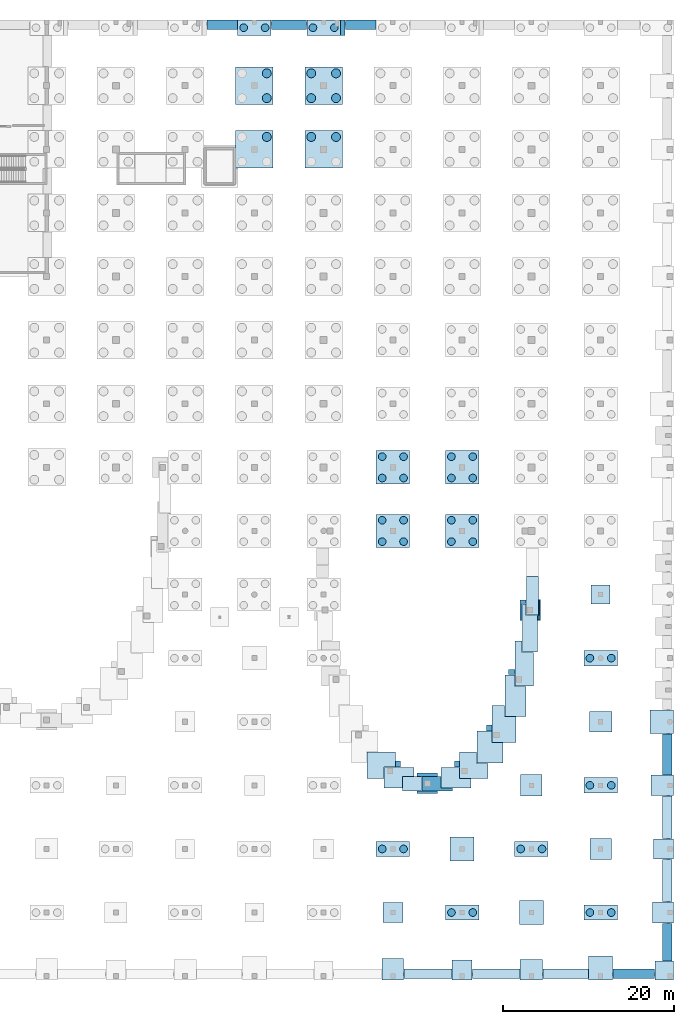
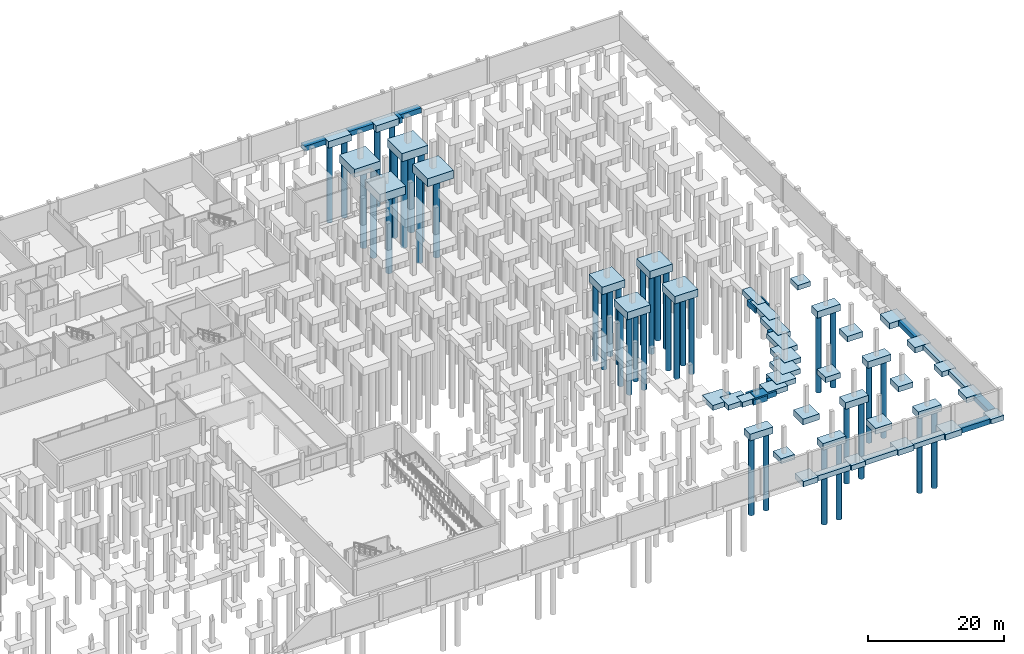
# One storey, part 8 of 37: 64 footings, 41 piles.
"""IFC4 building model written with IfcOpenShell, lengths in metres."""

from ifc_helpers import new_model, si_unit, direction, frame, origin, origin_2d, place, context, subcontext, project, spatial, polyline, rectangle, circle, outline, extrude, material, material_profile, profile_set, type_object, element, save


model = new_model("IFC4")

# Units and contexts
model_context = context("Model", 3, precision=1e-05, world=origin(), true_north=direction((0.0, 1.0)))
body_context = subcontext(model_context, "Body", "Model", "MODEL_VIEW")
ifc_project = project(units=[si_unit("LENGTHUNIT", "METRE"), si_unit("AREAUNIT", "SQUARE_METRE"), si_unit("VOLUMEUNIT", "CUBIC_METRE"), si_unit("PLANEANGLEUNIT", "RADIAN"), si_unit("MASSUNIT", "GRAM", prefix="KILO")], contexts=[model_context])

# Site, building, storey
site_placement = place(None, origin())
site = spatial("IfcSite", under=ifc_project, at=site_placement, CompositionType="ELEMENT")
building_placement = place(site_placement, origin())
building = spatial("IfcBuilding", under=site, at=building_placement, Name="Kaelora Sail Theatre", CompositionType="ELEMENT")
storey_placement = place(building_placement, frame((0.0, 0.0, -4.800048828125)))
storey = spatial("IfcBuildingStorey", under=building, at=storey_placement, Name="B1", CompositionType="ELEMENT", Elevation=-4.800048828125)

# Footings
ifc_material_1 = material(Name="Concrete C40/50", Category="concrete")
footing_type_1 = type_object("IfcFootingType", Name="STR-FTG-PC-2P", PredefinedType="PILE_CAP", material=ifc_material_1)
for number, where, z_axis, x_axis, name in (
    (1, (114.89990234375, 112.449951171875, -1.19970703125), (0.0, 0.0, 1.0), (1.0, 0.0, 0.0), "Foundation 15/P"),
    (2, (123.0, 112.449951171875, -1.19970703125), (0.0, 0.0, 1.0), (1.0, 0.0, 0.0), "Foundation 16/P"),
    (3, (131.10009765625, 16.3798828125, -1.19970703125), (0.0, 0.0, 1.0), (1.0, 0.0, 0.0), "Foundation 17/C"),
    (4, (139.199951171875, 8.93994140625, -1.19970703125), (0.0, 0.0, 1.0), (1.0, 0.0, 0.0), "Foundation 18/B"),
    (5, (147.300048828125, 16.3798828125, -1.19970703125), (0.0, 0.0, 1.0), (1.0, 0.0, 0.0), "Foundation 19/C"),
    (6, (155.39990234375, 8.93994140625, -1.19970703125), (0.0, 0.0, 1.0), (1.0, 0.0, 0.0), "Foundation 20/B"),
    (7, (155.39990234375, 23.820068359375, -1.19970703125), (0.0, 0.0, 1.0), (1.0, 0.0, 0.0), "Foundation 20/D"),
    (8, (155.39990234375, 38.699951171875, -1.19970703125), (0.0, 0.0, 1.0), (1.0, 0.0, 0.0), "Foundation 20/F"),
):
    element("IfcFooting", number, at=place(storey_placement, frame(where, z_axis=z_axis, x_axis=x_axis)), inside=storey, type_object=footing_type_1, Name=name, PredefinedType="PILE_CAP", context=body_context, shape_type="SweptSolid", body=[
        extrude(rectangle(XDim=3.89990234375, YDim=1.800048828125, at=origin_2d()), origin(), (0.0, 0.0, 1.0), 1.199951171875),
    ])
ifc_material_2 = material(Name="Concrete C40/50", Category="concrete")
footing_type_2 = type_object("IfcFootingType", Name="STR-FTG-PC-4A", PredefinedType="PILE_CAP", material=ifc_material_2)
for number, where, z_axis, x_axis, name in (
    (9, (131.10009765625, 53.580078125, -1.35009765625), (0.0, 0.0, 1.0), (1.0, 0.0, 0.0), "Foundation 17/H"),
    (10, (131.10009765625, 61.02001953125, -1.35009765625), (0.0, 0.0, 1.0), (1.0, 0.0, 0.0), "Foundation 17/I"),
    (11, (139.199951171875, 53.580078125, -1.35009765625), (0.0, 0.0, 1.0), (1.0, 0.0, 0.0), "Foundation 18/H"),
    (12, (139.199951171875, 61.02001953125, -1.35009765625), (0.0, 0.0, 1.0), (1.0, 0.0, 0.0), "Foundation 18/I"),
):
    element("IfcFooting", number, at=place(storey_placement, frame(where, z_axis=z_axis, x_axis=x_axis)), inside=storey, type_object=footing_type_2, Name=name, PredefinedType="PILE_CAP", context=body_context, shape_type="SweptSolid", body=[
        extrude(rectangle(XDim=3.89990234375, YDim=3.89990234375, at=origin_2d()), origin(), (0.0, 0.0, 1.0), 1.35009765625),
    ])
ifc_material_3 = material(Name="Concrete C40/50", Category="concrete")
footing_type_3 = type_object("IfcFootingType", Name="STR-FTG-PC-4B", PredefinedType="PILE_CAP", material=ifc_material_3)
for number, where, z_axis, x_axis, name in (
    (13, (114.89990234375, 98.219970703125, -1.44970703125), (0.0, 0.0, 1.0), (1.0, 0.0, 0.0), "Foundation 15/N"),
    (14, (114.89990234375, 105.659912109375, -1.44970703125), (0.0, 0.0, 1.0), (1.0, 0.0, 0.0), "Foundation 15/O"),
    (15, (123.0, 98.219970703125, -1.44970703125), (0.0, 0.0, 1.0), (1.0, 0.0, 0.0), "Foundation 16/N"),
    (16, (123.0, 105.659912109375, -1.44970703125), (0.0, 0.0, 1.0), (1.0, 0.0, 0.0), "Foundation 16/O"),
):
    element("IfcFooting", number, at=place(storey_placement, frame(where, z_axis=z_axis, x_axis=x_axis)), inside=storey, type_object=footing_type_3, Name=name, PredefinedType="PILE_CAP", context=body_context, shape_type="SweptSolid", body=[
        extrude(rectangle(XDim=4.39990234375, YDim=4.39990234375, at=origin_2d()), origin(), (0.0, 0.0, 1.0), 1.449951171875),
    ])
ifc_material_4 = material(Name="Concrete C40/50", Category="concrete")
footing_type_4 = type_object("IfcFootingType", Name="STR-FTG-PF-1A", PredefinedType="PAD_FOOTING", material=ifc_material_4)
for number, where, z_axis, x_axis, name in (
    (17, (155.39990234375, 46.139892578125, -0.85009765625), (0.0, 0.0, 1.0), (1.0, 0.0, 0.0), "Foundation 20/G"),
    (18, (162.85009765625, 2.14990234375, -0.85009765625), (0.0, 0.0, 1.0), (1.0, 0.0, 0.0), "Foundation 21/A"),
):
    element("IfcFooting", number, at=place(storey_placement, frame(where, z_axis=z_axis, x_axis=x_axis)), inside=storey, type_object=footing_type_4, Name=name, PredefinedType="PAD_FOOTING", context=body_context, shape_type="SweptSolid", body=[
        extrude(rectangle(XDim=2.199951171875, YDim=2.199951171875, at=origin_2d()), origin(), (0.0, 0.0, 1.0), 0.85009765625),
    ])
ifc_material_5 = material(Name="Concrete C40/50", Category="concrete")
footing_type_5 = type_object("IfcFootingType", Name="STR-FTG-PF-1B", PredefinedType="PAD_FOOTING", material=ifc_material_5)
for number, where, z_axis, x_axis, name in (
    (19, (131.10009765625, 2.300048828125, -0.94970703125), (0.0, 0.0, 1.0), (1.0, 0.0, 0.0), "Foundation 17/A"),
    (20, (147.300048828125, 23.820068359375, -0.94970703125), (0.0, 0.0, 1.0), (1.0, 0.0, 0.0), "Foundation 19/D"),
    (21, (155.39990234375, 16.3798828125, -0.94970703125), (0.0, 0.0, 1.0), (1.0, 0.0, 0.0), "Foundation 20/C"),
    (22, (162.699951171875, 8.93994140625, -0.94970703125), (0.0, 0.0, 1.0), (1.0, 0.0, 0.0), "Foundation 21/B"),
):
    element("IfcFooting", number, at=place(storey_placement, frame(where, z_axis=z_axis, x_axis=x_axis)), inside=storey, type_object=footing_type_5, Name=name, PredefinedType="PAD_FOOTING", context=body_context, shape_type="SweptSolid", body=[
        extrude(rectangle(XDim=2.5, YDim=2.5, at=origin_2d()), origin(), (0.0, 0.0, 1.0), 0.949951171875),
    ])
footing_1_placement = place(storey_placement, frame((0.0, 0.0, -0.949951171875)))
element("IfcFooting", 23, at=footing_1_placement, inside=storey, type_object=footing_type_5, Name="Black-Box Theatre drum pier pad K02", PredefinedType="PAD_FOOTING", context=body_context, shape_type="SweptSolid", body=[
    extrude(outline(polyline([(146.6865234375, 45.063720703125), (146.205810546875, 45.063720703125), (146.205810546875, 43.125), (145.95458984375, 43.125), (145.95458984375, 45.52490234375), (146.6865234375, 45.52490234375), (146.6865234375, 45.063720703125)])), origin(), (0.0, 0.0, 1.0), 0.949951171875),
])
footing_2_placement = place(storey_placement, frame((0.0, 0.0, -0.949951171875)))
element("IfcFooting", 24, at=footing_2_placement, inside=storey, type_object=footing_type_5, Name="Black-Box Theatre drum pier pad K02", PredefinedType="PAD_FOOTING", context=body_context, shape_type="SweptSolid", body=[
    extrude(outline(polyline([(148.177978515625, 43.70361328125), (148.177978515625, 45.52490234375), (148.3544921875, 45.52490234375), (148.3544921875, 43.125), (148.046630859375, 43.125), (148.046630859375, 43.70361328125), (148.177978515625, 43.70361328125)])), origin(), (0.0, 0.0, 1.0), 0.949951171875),
])
footing_3_placement = place(storey_placement, frame((0.0, 0.0, -0.949951171875)))
element("IfcFooting", 25, at=footing_3_placement, inside=storey, type_object=footing_type_5, Name="Black-Box Theatre drum pier pad K04", PredefinedType="PAD_FOOTING", context=body_context, shape_type="SweptSolid", body=[
    extrude(outline(polyline([(145.369384765625, 36.767578125), (144.64892578125, 36.767578125), (144.64892578125, 37.3779296875), (145.369384765625, 37.3779296875), (145.369384765625, 36.767578125)])), origin(), (0.0, 0.0, 1.0), 0.949951171875),
])
footing_4_placement = place(storey_placement, frame((0.0, 0.0, -0.949951171875)))
element("IfcFooting", 26, at=footing_4_placement, inside=storey, type_object=footing_type_5, Name="Black-Box Theatre drum pier pad K06", PredefinedType="PAD_FOOTING", context=body_context, shape_type="SweptSolid", body=[
    extrude(outline(polyline([(142.03369140625, 30.18359375), (142.03369140625, 30.8828125), (142.681396484375, 30.8828125), (142.681396484375, 30.18359375), (142.03369140625, 30.18359375)])), origin(), (0.0, 0.0, 1.0), 0.949951171875),
])
footing_5_placement = place(storey_placement, frame((0.0, 0.0, -0.949951171875)))
element("IfcFooting", 27, at=footing_5_placement, inside=storey, type_object=footing_type_5, Name="Black-Box Theatre drum pier pad K08", PredefinedType="PAD_FOOTING", context=body_context, shape_type="SweptSolid", body=[
    extrude(outline(polyline([(138.306396484375, 26.6884765625), (138.8857421875, 26.6884765625), (138.8857421875, 25.95654296875), (138.306396484375, 25.95654296875), (138.306396484375, 26.6884765625)])), origin(), (0.0, 0.0, 1.0), 0.949951171875),
])
footing_6_placement = place(storey_placement, frame((0.0, 0.0, -0.949951171875)))
element("IfcFooting", 28, at=footing_6_placement, inside=storey, type_object=footing_type_5, Name="Black-Box Theatre drum pier pad K10", PredefinedType="PAD_FOOTING", context=body_context, shape_type="SweptSolid", body=[
    extrude(outline(polyline([(133.949951171875, 24.866455078125), (133.949951171875, 25.239990234375), (136.35009765625, 25.239990234375), (136.35009765625, 24.866455078125), (133.949951171875, 24.866455078125)])), origin(), (0.0, 0.0, 1.0), 0.949951171875),
])
footing_7_placement = place(storey_placement, frame((0.0, 0.0, -0.949951171875)))
element("IfcFooting", 29, at=footing_7_placement, inside=storey, type_object=footing_type_5, Name="Black-Box Theatre drum pier pad K10", PredefinedType="PAD_FOOTING", context=body_context, shape_type="SweptSolid", body=[
    extrude(outline(polyline([(133.949951171875, 22.840087890625), (133.949951171875, 23.139892578125), (136.35009765625, 23.139892578125), (136.35009765625, 22.840087890625), (133.949951171875, 22.840087890625)])), origin(), (0.0, 0.0, 1.0), 0.949951171875),
])
footing_8_placement = place(storey_placement, frame((0.0, 0.0, -0.949951171875)))
element("IfcFooting", 30, at=footing_8_placement, inside=storey, type_object=footing_type_5, Name="Black-Box Theatre drum pier pad K12", PredefinedType="PAD_FOOTING", context=body_context, shape_type="SweptSolid", body=[
    extrude(outline(polyline([(131.414306640625, 26.6884765625), (131.99365234375, 26.6884765625), (131.99365234375, 25.95654296875), (131.414306640625, 25.95654296875), (131.414306640625, 26.6884765625)])), origin(), (0.0, 0.0, 1.0), 0.949951171875),
])
ifc_material_6 = material(Name="Concrete C40/50", Category="concrete")
footing_type_6 = type_object("IfcFootingType", Name="STR-FTG-PF-1C", PredefinedType="PAD_FOOTING", material=ifc_material_6)
footing_9_placement = place(storey_placement, frame((0.0, 0.0, -1.0)))
element("IfcFooting", 31, at=footing_9_placement, inside=storey, type_object=footing_type_6, Name="North Postmodern pilaster footing P09", PredefinedType="PAD_FOOTING", context=body_context, shape_type="SweptSolid", body=[
    extrude(outline(polyline([(124.97998046875, 111.550048828125), (124.97998046875, 113.340087890625), (125.5, 113.340087890625), (125.5, 111.550048828125), (124.97998046875, 111.550048828125)])), origin(), (0.0, 0.0, 1.0), 1.0),
])
ifc_material_7 = material(Name="Concrete C40/50", Category="concrete")
footing_type_7 = type_object("IfcFootingType", Name="STR-FTG-PF-1D", PredefinedType="PAD_FOOTING", material=ifc_material_7)
for number, where, z_axis, x_axis, name in (
    (32, (131.10009765625, 8.93994140625, -0.89990234375), (0.0, 0.0, 1.0), (1.0, 0.0, 0.0), "Foundation 17/B"),
    (33, (139.199951171875, 2.22509765625, -0.89990234375), (0.0, 0.0, 1.0), (1.0, 0.0, 0.0), "Foundation 18/A"),
    (34, (162.77490234375, 16.3798828125, -0.89990234375), (0.0, 0.0, 1.0), (1.0, 0.0, 0.0), "Foundation 21/C"),
):
    element("IfcFooting", number, at=place(storey_placement, frame(where, z_axis=z_axis, x_axis=x_axis)), inside=storey, type_object=footing_type_7, Name=name, PredefinedType="PAD_FOOTING", context=body_context, shape_type="SweptSolid", body=[
        extrude(rectangle(XDim=2.35009765625, YDim=2.35009765625, at=origin_2d()), origin(), (0.0, 0.0, 1.0), 0.89990234375),
    ])
ifc_material_8 = material(Name="Concrete C40/50", Category="concrete")
footing_type_8 = type_object("IfcFootingType", Name="STR-FTG-PF-1E", PredefinedType="PAD_FOOTING", material=ifc_material_8)
for number, where, z_axis, x_axis, name in (
    (35, (147.300048828125, 2.25, -1.0), (0.0, 0.0, 1.0), (1.0, 0.0, 0.0), "Foundation 19/A"),
    (36, (155.39990234375, 31.260009765625, -1.0), (0.0, 0.0, 1.0), (1.0, 0.0, 0.0), "Foundation 20/E"),
    (37, (162.625, 23.820068359375, -1.0), (0.0, 0.0, 1.0), (1.0, 0.0, 0.0), "Foundation 21/D"),
):
    element("IfcFooting", number, at=place(storey_placement, frame(where, z_axis=z_axis, x_axis=x_axis)), inside=storey, type_object=footing_type_8, Name=name, PredefinedType="PAD_FOOTING", context=body_context, shape_type="SweptSolid", body=[
        extrude(rectangle(XDim=2.64990234375, YDim=2.39990234375, at=origin_2d()), origin(), (0.0, 0.0, 1.0), 1.0),
    ])
ifc_material_9 = material(Name="Concrete C40/50", Category="concrete")
footing_type_9 = type_object("IfcFootingType", Name="STR-FTG-PF-1F", PredefinedType="PAD_FOOTING", material=ifc_material_9)
for number, where, z_axis, x_axis, name in (
    (38, (139.199951171875, 16.3798828125, -1.0498046875), (0.0, 0.0, 1.0), (1.0, 0.0, 0.0), "Foundation 18/C"),
    (39, (147.300048828125, 8.93994140625, -1.0498046875), (0.0, 0.0, 1.0), (1.0, 0.0, 0.0), "Foundation 19/B"),
    (40, (155.39990234375, 2.449951171875, -1.0498046875), (0.0, 0.0, 1.0), (1.0, 0.0, 0.0), "Foundation 20/A"),
    (41, (162.550048828125, 31.260009765625, -1.0498046875), (0.0, 0.0, 1.0), (1.0, 0.0, 0.0), "Foundation 21/E"),
):
    element("IfcFooting", number, at=place(storey_placement, frame(where, z_axis=z_axis, x_axis=x_axis)), inside=storey, type_object=footing_type_9, Name=name, PredefinedType="PAD_FOOTING", context=body_context, shape_type="SweptSolid", body=[
        extrude(rectangle(XDim=2.800048828125, YDim=2.800048828125, at=origin_2d()), origin(), (0.0, 0.0, 1.0), 1.050048828125),
    ])
ifc_material_10 = material(Name="Concrete C40/50", Category="concrete")
footing_type_10 = type_object("IfcFootingType", Name="STR-GB-SF-DRM", PredefinedType="STRIP_FOOTING", material=ifc_material_10)
footing_10_placement = place(storey_placement, frame((0.0, 0.0, -0.89990234375)))
element("IfcFooting", 42, at=footing_10_placement, inside=storey, type_object=footing_type_10, Name="Perimeter plinth strip footing SF-PL-SE", PredefinedType="STRIP_FOOTING", context=body_context, shape_type="SweptSolid", body=[
    extrude(outline(polyline([(161.719970703125, 1.25), (156.830078125, 1.25), (156.830078125, 2.35009765625), (161.719970703125, 2.35009765625), (161.719970703125, 1.25)])), origin(), (0.0, 0.0, 1.0), 0.89990234375),
])
footing_11_placement = place(storey_placement, frame((0.0, 0.0, -0.89990234375)))
element("IfcFooting", 43, at=footing_11_placement, inside=storey, type_object=footing_type_10, Name="Perimeter plinth strip footing SF-PL-SE", PredefinedType="STRIP_FOOTING", context=body_context, shape_type="SweptSolid", body=[
    extrude(outline(polyline([(153.969970703125, 1.25), (148.655029296875, 1.25), (148.655029296875, 2.35009765625), (153.969970703125, 2.35009765625), (153.969970703125, 1.25)])), origin(), (0.0, 0.0, 1.0), 0.89990234375),
])
footing_12_placement = place(storey_placement, frame((0.0, 0.0, -0.89990234375)))
element("IfcFooting", 44, at=footing_12_placement, inside=storey, type_object=footing_type_10, Name="Perimeter plinth strip footing SF-PL-SE", PredefinedType="STRIP_FOOTING", context=body_context, shape_type="SweptSolid", body=[
    extrude(outline(polyline([(140.405029296875, 1.25), (140.405029296875, 2.35009765625), (145.945068359375, 2.35009765625), (145.945068359375, 1.25), (140.405029296875, 1.25)])), origin(), (0.0, 0.0, 1.0), 0.89990234375),
])
footing_13_placement = place(storey_placement, frame((0.0, 0.0, -0.89990234375)))
element("IfcFooting", 45, at=footing_13_placement, inside=storey, type_object=footing_type_10, Name="Perimeter plinth strip footing SF-PL-SE", PredefinedType="STRIP_FOOTING", context=body_context, shape_type="SweptSolid", body=[
    extrude(outline(polyline([(132.3798828125, 1.25), (132.3798828125, 2.35009765625), (137.9951171875, 2.35009765625), (137.9951171875, 1.25), (132.3798828125, 1.25)])), origin(), (0.0, 0.0, 1.0), 0.89990234375),
])
footing_14_placement = place(storey_placement, frame((0.0, 0.0, -0.89990234375)))
element("IfcFooting", 46, at=footing_14_placement, inside=storey, type_object=footing_type_10, Name="Perimeter plinth strip footing SF-PL-E", PredefinedType="STRIP_FOOTING", context=body_context, shape_type="SweptSolid", body=[
    extrude(outline(polyline([(162.64990234375, 22.590087890625), (163.75, 22.590087890625), (163.75, 17.5849609375), (162.64990234375, 17.5849609375), (162.64990234375, 22.590087890625)])), origin(), (0.0, 0.0, 1.0), 0.89990234375),
])
footing_15_placement = place(storey_placement, frame((0.0, 0.0, -0.89990234375)))
element("IfcFooting", 47, at=footing_15_placement, inside=storey, type_object=footing_type_10, Name="Perimeter plinth strip footing SF-PL-E", PredefinedType="STRIP_FOOTING", context=body_context, shape_type="SweptSolid", body=[
    extrude(outline(polyline([(163.75, 25.050048828125), (162.64990234375, 25.050048828125), (162.64990234375, 29.830078125), (163.75, 29.830078125), (163.75, 25.050048828125)])), origin(), (0.0, 0.0, 1.0), 0.89990234375),
])
footing_16_placement = place(storey_placement, frame((0.0, 0.0, -0.89990234375)))
element("IfcFooting", 48, at=footing_16_placement, inside=storey, type_object=footing_type_10, Name="Perimeter plinth strip footing SF-PL-E", PredefinedType="STRIP_FOOTING", context=body_context, shape_type="SweptSolid", body=[
    extrude(outline(polyline([(162.64990234375, 15.175048828125), (163.75, 15.175048828125), (163.75, 10.219970703125), (162.64990234375, 10.219970703125), (162.64990234375, 15.175048828125)])), origin(), (0.0, 0.0, 1.0), 0.89990234375),
])
footing_17_placement = place(storey_placement, frame((0.0, 0.0, -0.89990234375)))
element("IfcFooting", 49, at=footing_17_placement, inside=storey, type_object=footing_type_10, Name="Perimeter plinth strip footing SF-PL-E", PredefinedType="STRIP_FOOTING", context=body_context, shape_type="SweptSolid", body=[
    extrude(outline(polyline([(163.75, 7.659912109375), (163.75, 3.280029296875), (162.64990234375, 3.280029296875), (162.64990234375, 7.659912109375), (163.75, 7.659912109375)])), origin(), (0.0, 0.0, 1.0), 0.89990234375),
])
footing_18_placement = place(storey_placement, frame((0.0, 0.0, -0.89990234375)))
element("IfcFooting", 50, at=footing_18_placement, inside=storey, type_object=footing_type_10, Name="Perimeter plinth strip footing SF-PL-N", PredefinedType="STRIP_FOOTING", context=body_context, shape_type="SweptSolid", body=[
    extrude(outline(polyline([(125.530029296875, 113.340087890625), (129.1201171875, 113.340087890625), (129.1201171875, 112.25), (125.530029296875, 112.25), (125.530029296875, 113.340087890625)])), origin(), (0.0, 0.0, 1.0), 0.89990234375),
])
footing_19_placement = place(storey_placement, frame((0.0, 0.0, -0.89990234375)))
element("IfcFooting", 51, at=footing_19_placement, inside=storey, type_object=footing_type_10, Name="Perimeter plinth strip footing SF-PL-N", PredefinedType="STRIP_FOOTING", context=body_context, shape_type="SweptSolid", body=[
    extrude(outline(polyline([(116.8798828125, 113.340087890625), (121.02001953125, 113.340087890625), (121.02001953125, 112.25), (116.8798828125, 112.25), (116.8798828125, 113.340087890625)])), origin(), (0.0, 0.0, 1.0), 0.89990234375),
])
footing_20_placement = place(storey_placement, frame((0.0, 0.0, -0.89990234375)))
element("IfcFooting", 52, at=footing_20_placement, inside=storey, type_object=footing_type_10, Name="Perimeter plinth strip footing SF-PL-N", PredefinedType="STRIP_FOOTING", context=body_context, shape_type="SweptSolid", body=[
    extrude(outline(polyline([(109.330078125, 113.340087890625), (112.919921875, 113.340087890625), (112.919921875, 112.25), (109.330078125, 112.25), (109.330078125, 113.340087890625)])), origin(), (0.0, 0.0, 1.0), 0.89990234375),
])
footing_21_placement = place(storey_placement, frame((0.0, 0.0, -0.89990234375)))
element("IfcFooting", 53, at=footing_21_placement, inside=storey, type_object=footing_type_10, Name="Black-Box and Experimental Sail Wing chord strip footing 02", PredefinedType="STRIP_FOOTING", context=body_context, shape_type="SweptSolid", body=[
    extrude(outline(polyline([(146.716552734375, 48.244384765625), (148.148193359375, 48.244384765625), (148.148193359375, 43.733642578125), (146.716552734375, 43.733642578125), (146.716552734375, 48.244384765625)])), origin(), (0.0, 0.0, 1.0), 0.89990234375),
])
footing_22_placement = place(storey_placement, frame((0.0, 0.0, -0.89990234375)))
element("IfcFooting", 54, at=footing_22_placement, inside=storey, type_object=footing_type_10, Name="Black-Box and Experimental Sail Wing chord strip footing 03", PredefinedType="STRIP_FOOTING", context=body_context, shape_type="SweptSolid", body=[
    extrude(outline(polyline([(146.6865234375, 45.03369140625), (146.6865234375, 43.70361328125), (148.0166015625, 43.70361328125), (148.0166015625, 39.419189453125), (146.23583984375, 39.419189453125), (146.23583984375, 45.03369140625), (146.6865234375, 45.03369140625)])), origin(), (0.0, 0.0, 1.0), 0.89990234375),
])
footing_23_placement = place(storey_placement, frame((0.0, 0.0, -0.89990234375)))
element("IfcFooting", 55, at=footing_23_placement, inside=storey, type_object=footing_type_10, Name="Black-Box and Experimental Sail Wing chord strip footing 04", PredefinedType="STRIP_FOOTING", context=body_context, shape_type="SweptSolid", body=[
    extrude(outline(polyline([(147.535888671875, 35.4375), (145.3994140625, 35.4375), (145.3994140625, 40.71923828125), (146.205810546875, 40.71923828125), (146.205810546875, 39.38916015625), (147.535888671875, 39.38916015625), (147.535888671875, 35.4375)])), origin(), (0.0, 0.0, 1.0), 0.89990234375),
])
footing_24_placement = place(storey_placement, frame((0.0, 0.0, -0.89990234375)))
element("IfcFooting", 56, at=footing_24_placement, inside=storey, type_object=footing_type_10, Name="Black-Box and Experimental Sail Wing chord strip footing 05", PredefinedType="STRIP_FOOTING", context=body_context, shape_type="SweptSolid", body=[
    extrude(outline(polyline([(144.21630859375, 31.886474609375), (144.21630859375, 36.737548828125), (145.369384765625, 36.737548828125), (145.369384765625, 35.407470703125), (146.699462890625, 35.407470703125), (146.699462890625, 31.886474609375), (144.21630859375, 31.886474609375)])), origin(), (0.0, 0.0, 1.0), 0.89990234375),
])
footing_25_placement = place(storey_placement, frame((0.0, 0.0, -0.89990234375)))
element("IfcFooting", 57, at=footing_25_placement, inside=storey, type_object=footing_type_10, Name="Black-Box and Experimental Sail Wing chord strip footing 06", PredefinedType="STRIP_FOOTING", context=body_context, shape_type="SweptSolid", body=[
    extrude(outline(polyline([(142.71142578125, 33.1865234375), (144.186279296875, 33.1865234375), (144.186279296875, 31.8564453125), (145.516357421875, 31.8564453125), (145.516357421875, 28.853759765625), (142.71142578125, 28.853759765625), (142.71142578125, 33.1865234375)])), origin(), (0.0, 0.0, 1.0), 0.89990234375),
])
footing_26_placement = place(storey_placement, frame((0.0, 0.0, -0.89990234375)))
element("IfcFooting", 58, at=footing_26_placement, inside=storey, type_object=footing_type_10, Name="Black-Box and Experimental Sail Wing chord strip footing 07", PredefinedType="STRIP_FOOTING", context=body_context, shape_type="SweptSolid", body=[
    extrude(outline(polyline([(142.681396484375, 30.15380859375), (142.681396484375, 28.82373046875), (144.011474609375, 28.82373046875), (144.011474609375, 26.41357421875), (140.926025390625, 26.41357421875), (140.926025390625, 30.15380859375), (142.681396484375, 30.15380859375)])), origin(), (0.0, 0.0, 1.0), 0.89990234375),
])
footing_27_placement = place(storey_placement, frame((0.0, 0.0, -0.89990234375)))
element("IfcFooting", 59, at=footing_27_placement, inside=storey, type_object=footing_type_10, Name="Black-Box and Experimental Sail Wing chord strip footing 08", PredefinedType="STRIP_FOOTING", context=body_context, shape_type="SweptSolid", body=[
    extrude(outline(polyline([(142.22607421875, 24.626708984375), (138.915771484375, 24.626708984375), (138.915771484375, 27.713623046875), (140.89599609375, 27.713623046875), (140.89599609375, 26.383544921875), (142.22607421875, 26.383544921875), (142.22607421875, 24.626708984375)])), origin(), (0.0, 0.0, 1.0), 0.89990234375),
])
footing_28_placement = place(storey_placement, frame((0.0, 0.0, -0.89990234375)))
element("IfcFooting", 60, at=footing_28_placement, inside=storey, type_object=footing_type_10, Name="Black-Box and Experimental Sail Wing chord strip footing 09", PredefinedType="STRIP_FOOTING", context=body_context, shape_type="SweptSolid", body=[
    extrude(outline(polyline([(136.748291015625, 23.536376953125), (136.748291015625, 25.926513671875), (138.8857421875, 25.926513671875), (138.8857421875, 24.5966796875), (140.2158203125, 24.5966796875), (140.2158203125, 23.536376953125), (136.748291015625, 23.536376953125)])), origin(), (0.0, 0.0, 1.0), 0.89990234375),
])
footing_29_placement = place(storey_placement, frame((0.0, 0.0, -0.89990234375)))
element("IfcFooting", 61, at=footing_29_placement, inside=storey, type_object=footing_type_10, Name="Black-Box and Experimental Sail Wing chord strip footing 10", PredefinedType="STRIP_FOOTING", context=body_context, shape_type="SweptSolid", body=[
    extrude(outline(polyline([(134.5, 24.83642578125), (136.71826171875, 24.83642578125), (136.71826171875, 23.50634765625), (138.04833984375, 23.50634765625), (138.04833984375, 23.169921875), (134.5, 23.169921875), (134.5, 24.83642578125)])), origin(), (0.0, 0.0, 1.0), 0.89990234375),
])
footing_30_placement = place(storey_placement, frame((0.0, 0.0, -0.89990234375)))
element("IfcFooting", 62, at=footing_30_placement, inside=storey, type_object=footing_type_10, Name="Black-Box and Experimental Sail Wing chord strip footing 11", PredefinedType="STRIP_FOOTING", context=body_context, shape_type="SweptSolid", body=[
    extrude(outline(polyline([(134.469970703125, 24.83642578125), (134.469970703125, 23.169921875), (132.251708984375, 23.169921875), (132.251708984375, 24.83642578125), (134.469970703125, 24.83642578125)])), origin(), (0.0, 0.0, 1.0), 0.89990234375),
])
footing_31_placement = place(storey_placement, frame((0.0, 0.0, -0.89990234375)))
element("IfcFooting", 63, at=footing_31_placement, inside=storey, type_object=footing_type_10, Name="Black-Box and Experimental Sail Wing chord strip footing 12", PredefinedType="STRIP_FOOTING", context=body_context, shape_type="SweptSolid", body=[
    extrude(outline(polyline([(133.5517578125, 24.866455078125), (132.2216796875, 24.866455078125), (132.2216796875, 23.536376953125), (130.084228515625, 23.536376953125), (130.084228515625, 25.926513671875), (133.5517578125, 25.926513671875), (133.5517578125, 24.866455078125)])), origin(), (0.0, 0.0, 1.0), 0.89990234375),
])
footing_32_placement = place(storey_placement, frame((0.0, 0.0, -0.89990234375)))
element("IfcFooting", 64, at=footing_32_placement, inside=storey, type_object=footing_type_10, Name="Black-Box and Experimental Sail Wing chord strip footing 13", PredefinedType="STRIP_FOOTING", context=body_context, shape_type="SweptSolid", body=[
    extrude(outline(polyline([(128.073974609375, 24.626708984375), (128.073974609375, 27.713623046875), (131.38427734375, 27.713623046875), (131.38427734375, 25.95654296875), (130.05419921875, 25.95654296875), (130.05419921875, 24.626708984375), (128.073974609375, 24.626708984375)])), origin(), (0.0, 0.0, 1.0), 0.89990234375),
])

# Piles
ifc_material_11 = material(Name="Concrete C40/50", Category="concrete")
ifc_material_profile_1 = material_profile(ifc_material_11, circle(Radius=0.52490234375, at=origin_2d()), Name="PILE D1050")
ifc_profile_set_1 = profile_set([ifc_material_profile_1], Name="Concrete C40/50")
pile_type_1 = type_object("IfcPileType", Name="STR-PILE-PL-1050", PredefinedType="BORED", material=ifc_profile_set_1)
for number, where, z_axis, x_axis, name in (
    (65, (116.35009765625, 99.669921875, -1.349853515625), (0.0, 0.0, -1.0), (1.0, 0.0, 0.0), "Bored pile 15/N P4"),
    (66, (116.35009765625, 104.2099609375, -1.349853515625), (0.0, 0.0, -1.0), (1.0, 0.0, 0.0), "Bored pile 15/O P2"),
    (67, (116.35009765625, 107.110107421875, -1.349853515625), (0.0, 0.0, -1.0), (1.0, 0.0, 0.0), "Bored pile 15/O P4"),
    (68, (121.550048828125, 99.669921875, -1.349853515625), (0.0, 0.0, -1.0), (1.0, 0.0, 0.0), "Bored pile 16/N P3"),
    (69, (124.449951171875, 99.669921875, -1.349853515625), (0.0, 0.0, -1.0), (1.0, 0.0, 0.0), "Bored pile 16/N P4"),
    (70, (121.550048828125, 104.2099609375, -1.349853515625), (0.0, 0.0, -1.0), (1.0, 0.0, 0.0), "Bored pile 16/O P1"),
    (71, (124.449951171875, 104.2099609375, -1.349853515625), (0.0, 0.0, -1.0), (1.0, 0.0, 0.0), "Bored pile 16/O P2"),
    (72, (121.550048828125, 107.110107421875, -1.349853515625), (0.0, 0.0, -1.0), (1.0, 0.0, 0.0), "Bored pile 16/O P3"),
    (73, (124.449951171875, 107.110107421875, -1.349853515625), (0.0, 0.0, -1.0), (1.0, 0.0, 0.0), "Bored pile 16/O P4"),
):
    element("IfcPile", number, at=place(storey_placement, frame(where, z_axis=z_axis, x_axis=x_axis)), inside=storey, type_object=pile_type_1, Name=name, PredefinedType="BORED", context=body_context, shape_type="SweptSolid", body=[
        extrude(circle(Radius=0.52490234375, at=origin_2d()), origin(), (0.0, 0.0, 1.0), 16.0),
    ])
ifc_material_12 = material(Name="Concrete C40/50", Category="concrete")
ifc_material_profile_2 = material_profile(ifc_material_12, circle(Radius=0.449951171875, at=origin_2d()), Name="PILE D900")
ifc_profile_set_2 = profile_set([ifc_material_profile_2], Name="Concrete C40/50")
pile_type_2 = type_object("IfcPileType", Name="STR-PILE-PL-900", PredefinedType="BORED", material=ifc_profile_set_2)
for number, where, z_axis, x_axis, name in (
    (74, (113.64990234375, 112.449951171875, -1.099853515625), (0.0, 0.0, -1.0), (1.0, 0.0, 0.0), "Bored pile 15/P P1"),
    (75, (116.14990234375, 112.449951171875, -1.099853515625), (0.0, 0.0, -1.0), (1.0, 0.0, 0.0), "Bored pile 15/P P2"),
    (76, (121.75, 112.449951171875, -1.099853515625), (0.0, 0.0, -1.0), (1.0, 0.0, 0.0), "Bored pile 16/P P1"),
    (77, (124.25, 112.449951171875, -1.099853515625), (0.0, 0.0, -1.0), (1.0, 0.0, 0.0), "Bored pile 16/P P2"),
    (78, (129.85009765625, 16.3798828125, -1.099853515625), (0.0, 0.0, -1.0), (1.0, 0.0, 0.0), "Bored pile 17/C P1"),
    (79, (132.35009765625, 16.3798828125, -1.099853515625), (0.0, 0.0, -1.0), (1.0, 0.0, 0.0), "Bored pile 17/C P2"),
    (80, (129.85009765625, 52.330078125, -1.25), (0.0, 0.0, -1.0), (1.0, 0.0, 0.0), "Bored pile 17/H P1"),
    (81, (132.35009765625, 52.330078125, -1.25), (0.0, 0.0, -1.0), (1.0, 0.0, 0.0), "Bored pile 17/H P2"),
    (82, (129.85009765625, 54.830078125, -1.25), (0.0, 0.0, -1.0), (1.0, 0.0, 0.0), "Bored pile 17/H P3"),
    (83, (132.35009765625, 54.830078125, -1.25), (0.0, 0.0, -1.0), (1.0, 0.0, 0.0), "Bored pile 17/H P4"),
    (84, (129.85009765625, 59.77001953125, -1.25), (0.0, 0.0, -1.0), (1.0, 0.0, 0.0), "Bored pile 17/I P1"),
    (85, (132.35009765625, 59.77001953125, -1.25), (0.0, 0.0, -1.0), (1.0, 0.0, 0.0), "Bored pile 17/I P2"),
    (86, (129.85009765625, 62.27001953125, -1.25), (0.0, 0.0, -1.0), (1.0, 0.0, 0.0), "Bored pile 17/I P3"),
    (87, (132.35009765625, 62.27001953125, -1.25), (0.0, 0.0, -1.0), (1.0, 0.0, 0.0), "Bored pile 17/I P4"),
    (88, (137.949951171875, 8.93994140625, -1.099853515625), (0.0, 0.0, -1.0), (1.0, 0.0, 0.0), "Bored pile 18/B P1"),
    (89, (140.449951171875, 8.93994140625, -1.099853515625), (0.0, 0.0, -1.0), (1.0, 0.0, 0.0), "Bored pile 18/B P2"),
    (90, (137.949951171875, 52.330078125, -1.25), (0.0, 0.0, -1.0), (1.0, 0.0, 0.0), "Bored pile 18/H P1"),
    (91, (140.449951171875, 52.330078125, -1.25), (0.0, 0.0, -1.0), (1.0, 0.0, 0.0), "Bored pile 18/H P2"),
    (92, (137.949951171875, 54.830078125, -1.25), (0.0, 0.0, -1.0), (1.0, 0.0, 0.0), "Bored pile 18/H P3"),
    (93, (140.449951171875, 54.830078125, -1.25), (0.0, 0.0, -1.0), (1.0, 0.0, 0.0), "Bored pile 18/H P4"),
    (94, (137.949951171875, 59.77001953125, -1.25), (0.0, 0.0, -1.0), (1.0, 0.0, 0.0), "Bored pile 18/I P1"),
    (95, (140.449951171875, 59.77001953125, -1.25), (0.0, 0.0, -1.0), (1.0, 0.0, 0.0), "Bored pile 18/I P2"),
    (96, (137.949951171875, 62.27001953125, -1.25), (0.0, 0.0, -1.0), (1.0, 0.0, 0.0), "Bored pile 18/I P3"),
    (97, (140.449951171875, 62.27001953125, -1.25), (0.0, 0.0, -1.0), (1.0, 0.0, 0.0), "Bored pile 18/I P4"),
    (98, (146.050048828125, 16.3798828125, -1.099853515625), (0.0, 0.0, -1.0), (1.0, 0.0, 0.0), "Bored pile 19/C P1"),
    (99, (148.550048828125, 16.3798828125, -1.099853515625), (0.0, 0.0, -1.0), (1.0, 0.0, 0.0), "Bored pile 19/C P2"),
    (100, (154.14990234375, 8.93994140625, -1.099853515625), (0.0, 0.0, -1.0), (1.0, 0.0, 0.0), "Bored pile 20/B P1"),
    (101, (156.64990234375, 8.93994140625, -1.099853515625), (0.0, 0.0, -1.0), (1.0, 0.0, 0.0), "Bored pile 20/B P2"),
    (102, (154.14990234375, 23.820068359375, -1.099853515625), (0.0, 0.0, -1.0), (1.0, 0.0, 0.0), "Bored pile 20/D P1"),
    (103, (156.64990234375, 23.820068359375, -1.099853515625), (0.0, 0.0, -1.0), (1.0, 0.0, 0.0), "Bored pile 20/D P2"),
    (104, (154.14990234375, 38.699951171875, -1.099853515625), (0.0, 0.0, -1.0), (1.0, 0.0, 0.0), "Bored pile 20/F P1"),
    (105, (156.64990234375, 38.699951171875, -1.099853515625), (0.0, 0.0, -1.0), (1.0, 0.0, 0.0), "Bored pile 20/F P2"),
):
    element("IfcPile", number, at=place(storey_placement, frame(where, z_axis=z_axis, x_axis=x_axis)), inside=storey, type_object=pile_type_2, Name=name, PredefinedType="BORED", context=body_context, shape_type="SweptSolid", body=[
        extrude(circle(Radius=0.449951171875, at=origin_2d()), origin(), (0.0, 0.0, 1.0), 14.0),
    ])

save(model, "model.ifc")
